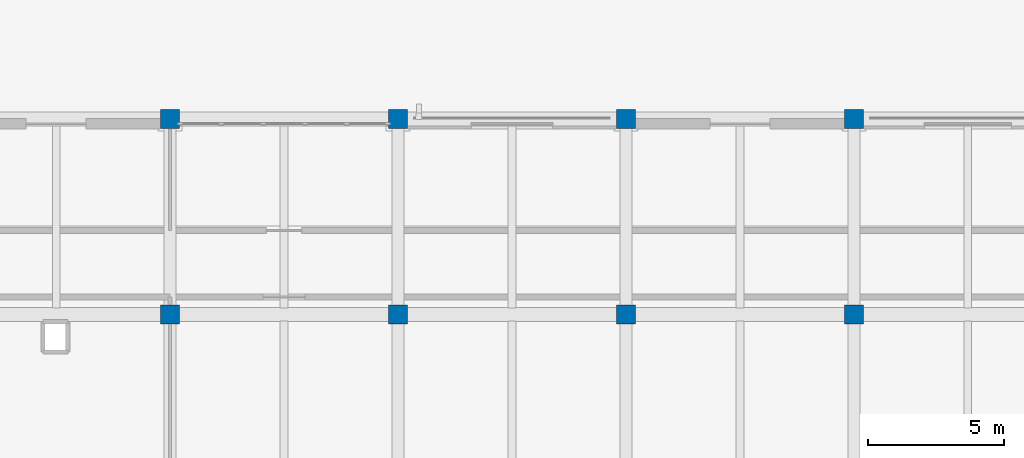
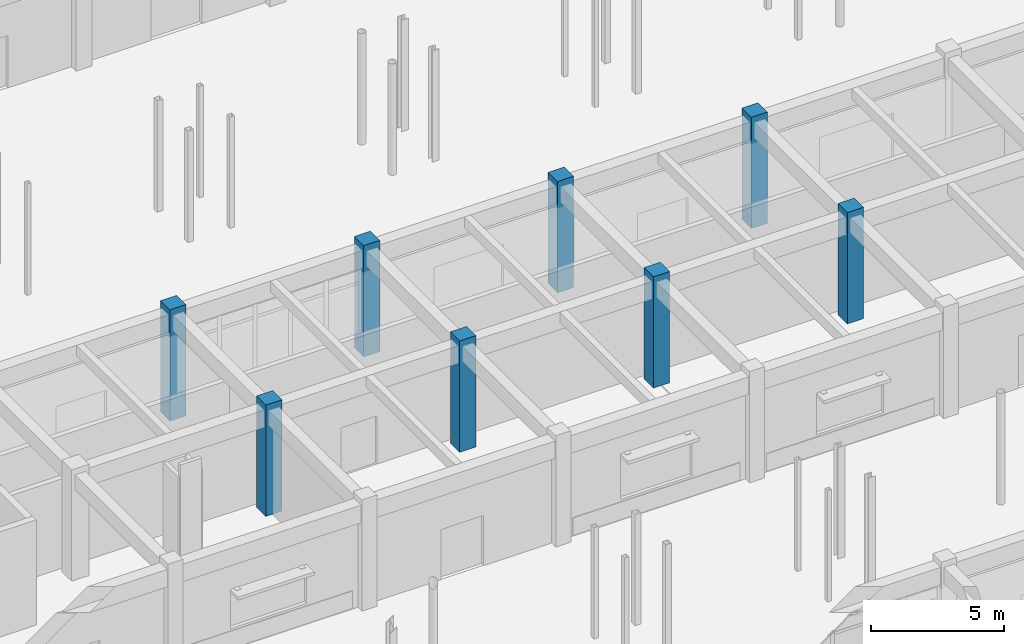
# One storey, part 14 of 121: 8 columns.
"""IFC4 building model written with IfcOpenShell, lengths in metres."""

from ifc_helpers import new_model, si_unit, direction, frame, origin, origin_2d, place, context, subcontext, project, spatial, rectangle, extrude, material, material_profile, profile_set, type_object, element, save


model = new_model("IFC4")

# Units and contexts
model_context = context("Model", 3, precision=1e-05, world=origin(), true_north=direction((0.0, 1.0)))
body_context = subcontext(model_context, "Body", "Model", "MODEL_VIEW")
ifc_project = project(units=[si_unit("LENGTHUNIT", "METRE"), si_unit("AREAUNIT", "SQUARE_METRE"), si_unit("VOLUMEUNIT", "CUBIC_METRE"), si_unit("PLANEANGLEUNIT", "RADIAN"), si_unit("MASSUNIT", "GRAM", prefix="KILO")], contexts=[model_context])

# Site, building, storey
site_placement = place(None, origin())
site = spatial("IfcSite", under=ifc_project, at=site_placement, CompositionType="ELEMENT")
building_placement = place(site_placement, origin())
building = spatial("IfcBuilding", under=site, at=building_placement, Name="Malvenik Polytechnic", CompositionType="ELEMENT")
storey_placement = place(building_placement, origin())
storey = spatial("IfcBuildingStorey", under=building, at=storey_placement, Name="L00", CompositionType="ELEMENT", Elevation=0.0)

# Columns
ifc_material = material(Name="Concrete C40/50", Category="concrete")
ifc_material_profile = material_profile(ifc_material, rectangle(XDim=0.699951171875, YDim=0.699951171875, at=origin_2d()), Name="RC COL 700x700")
ifc_profile_set = profile_set([ifc_material_profile], Name="Concrete C40/50")
column_type = type_object("IfcColumnType", Name="STR-COL-C-04", PredefinedType="COLUMN", material=ifc_profile_set)
for number, where, z_axis, x_axis, name in (
    (1, (33.60009765625, 86.39990234375, 0.0), (0.0, 0.0, 1.0), (1.0, 0.0, 0.0), "Column C-04 L00 (33.6,86.4)"),
    (2, (33.60009765625, 93.60009765625, 0.0), (0.0, 0.0, 1.0), (1.0, 0.0, 0.0), "Column C-04 L00 (33.6,93.6)"),
    (3, (42.0, 86.39990234375, 0.0), (0.0, 0.0, 1.0), (1.0, 0.0, 0.0), "Column C-04 L00 (42.0,86.4)"),
    (4, (42.0, 93.60009765625, 0.0), (0.0, 0.0, 1.0), (1.0, 0.0, 0.0), "Column C-04 L00 (42.0,93.6)"),
    (5, (50.39990234375, 86.39990234375, 0.0), (0.0, 0.0, 1.0), (1.0, 0.0, 0.0), "Column C-04 L00 (50.4,86.4)"),
    (6, (50.39990234375, 93.60009765625, 0.0), (0.0, 0.0, 1.0), (1.0, 0.0, 0.0), "Column C-04 L00 (50.4,93.6)"),
    (7, (58.800048828125, 86.39990234375, 0.0), (0.0, 0.0, 1.0), (1.0, 0.0, 0.0), "Column C-04 L00 (58.8,86.4)"),
    (8, (58.800048828125, 93.60009765625, 0.0), (0.0, 0.0, 1.0), (1.0, 0.0, 0.0), "Column C-04 L00 (58.8,93.6)"),
):
    element("IfcColumn", number, at=place(storey_placement, frame(where, z_axis=z_axis, x_axis=x_axis)), inside=storey, type_object=column_type, Name=name, PredefinedType="COLUMN", context=body_context, shape_type="SweptSolid", body=[
        extrude(rectangle(XDim=0.699951171875, YDim=0.699951171875, at=origin_2d()), origin(), (0.0, 0.0, 1.0), 5.10009765625),
    ])

save(model, "model.ifc")
